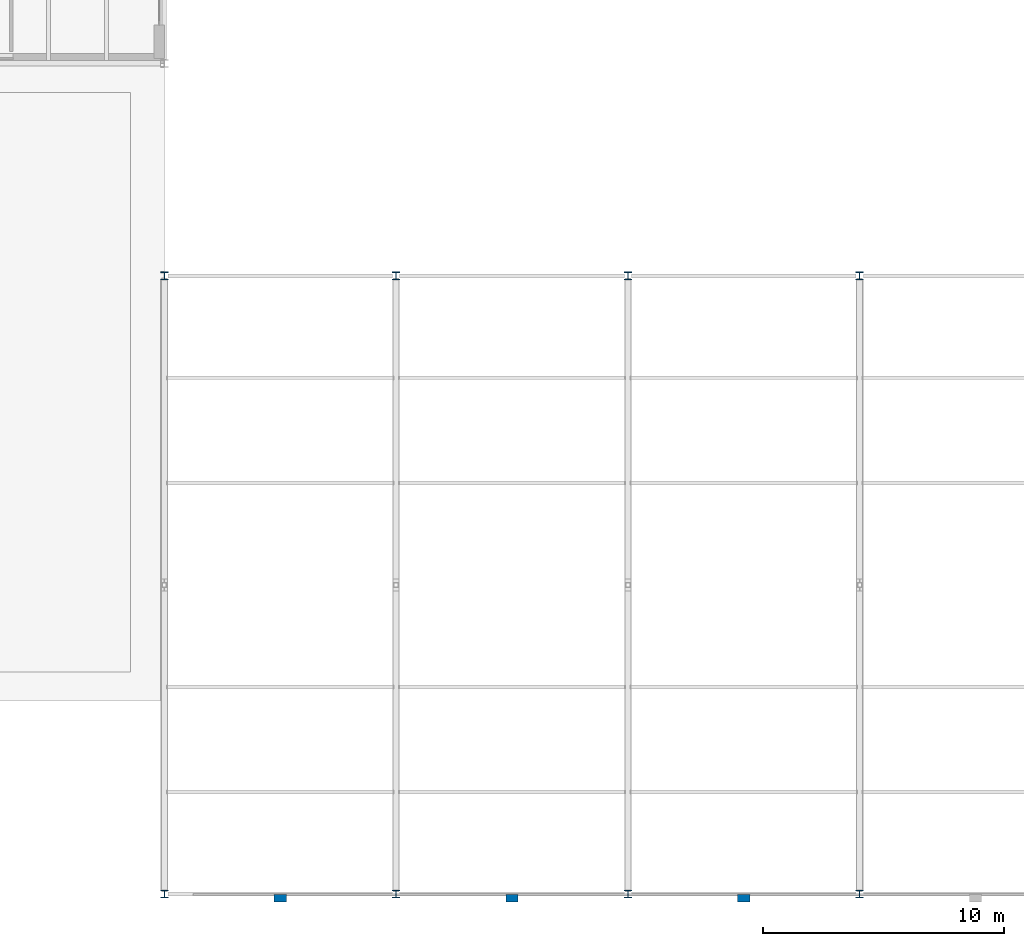
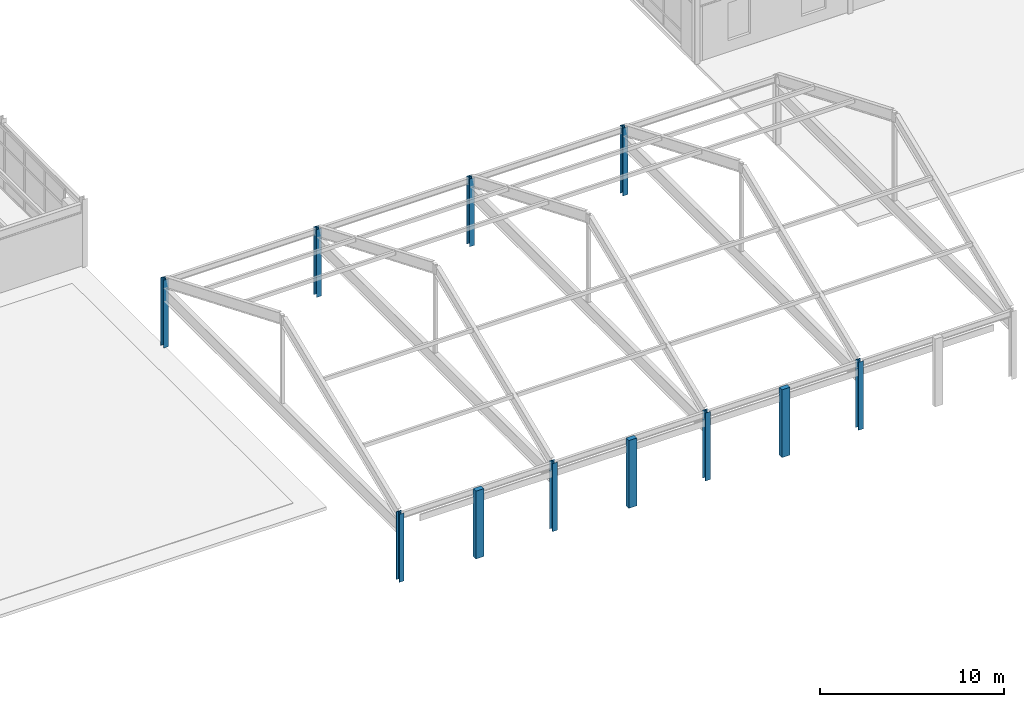
# One storey, part 1 of 88: 11 columns.
"""IFC4 building model written with IfcOpenShell, lengths in metres."""

from ifc_helpers import new_model, si_unit, direction, frame, origin, origin_2d, place, context, subcontext, project, spatial, rectangle, i_section, extrude, material, material_profile, profile_set, type_object, element, save


model = new_model("IFC4")

# Units and contexts
model_context = context("Model", 3, precision=1e-05, world=origin(), true_north=direction((0.0, 1.0)))
body_context = subcontext(model_context, "Body", "Model", "MODEL_VIEW")
ifc_project = project(units=[si_unit("LENGTHUNIT", "METRE"), si_unit("AREAUNIT", "SQUARE_METRE"), si_unit("VOLUMEUNIT", "CUBIC_METRE"), si_unit("PLANEANGLEUNIT", "RADIAN"), si_unit("MASSUNIT", "GRAM", prefix="KILO")], contexts=[model_context])

# Site, building, storey
site_placement = place(None, origin())
site = spatial("IfcSite", under=ifc_project, at=site_placement, CompositionType="ELEMENT")
building_placement = place(site_placement, origin())
building = spatial("IfcBuilding", under=site, at=building_placement, Name="Sarnbrook Museum", CompositionType="ELEMENT")
storey_placement = place(building_placement, frame((0.0, 0.0, 10.10009765625)))
storey = spatial("IfcBuildingStorey", under=building, at=storey_placement, Name="L02", CompositionType="ELEMENT", Elevation=10.10009765625)

# Columns
ifc_material_1 = material(Name="Structural Steel Grade 300PLUS (AS/NZS 3679.1, fy = 280 MPa for 17 < t <= 40 mm, 300 MPa for t <= 17 mm)", Category="steel")
ifc_material_profile_1 = material_profile(ifc_material_1, i_section(OverallWidth=0.31103515625, OverallDepth=0.326904296875, WebThickness=0.015625, FlangeThickness=0.02490234375, FilletRadius=0.0166015625, at=origin_2d()), Name="310UC158")
ifc_profile_set_1 = profile_set([ifc_material_profile_1], Name="Structural Steel Grade 300PLUS (AS/NZS 3679.1, fy = 280 MPa for 17 < t <= 40 mm, 300 MPa for t <= 17 mm)")
column_type_1 = type_object("IfcColumnType", Name="COL-UC310H", PredefinedType="COLUMN", material=ifc_profile_set_1)
for number, where, z_axis, x_axis, name in (
    (1, (42.39990234375, 4.800048828125, 0.0), (0.0, 0.0, 1.0), (1.0, 0.0, 0.0), "Column 5-A L02"),
    (2, (42.39990234375, 30.39990234375, 0.0), (0.0, 0.0, 1.0), (1.0, 0.0, 0.0), "Column 5-D L02"),
    (3, (52.0, 4.800048828125, 0.0), (0.0, 0.0, 1.0), (1.0, 0.0, 0.0), "Column 6-A L02"),
    (4, (52.0, 30.39990234375, 0.0), (0.0, 0.0, 1.0), (1.0, 0.0, 0.0), "Column 6-D L02"),
    (5, (61.60009765625, 4.800048828125, 0.0), (0.0, 0.0, 1.0), (1.0, 0.0, 0.0), "Column 7-A L02"),
    (6, (61.60009765625, 30.39990234375, 0.0), (0.0, 0.0, 1.0), (1.0, 0.0, 0.0), "Column 7-D L02"),
    (7, (71.199951171875, 4.800048828125, 0.0), (0.0, 0.0, 1.0), (1.0, 0.0, 0.0), "Column 8-A L02"),
    (8, (71.199951171875, 30.39990234375, 0.0), (0.0, 0.0, 1.0), (1.0, 0.0, 0.0), "Column 8-D L02"),
):
    element("IfcColumn", number, at=place(storey_placement, frame(where, z_axis=z_axis, x_axis=x_axis)), inside=storey, type_object=column_type_1, Name=name, PredefinedType="COLUMN", context=body_context, shape_type="SweptSolid", body=[
        extrude(i_section(OverallWidth=0.31103515625, OverallDepth=0.326904296875, WebThickness=0.015625, FlangeThickness=0.02490234375, FilletRadius=0.0166015625, at=origin_2d()), origin(), (0.0, 0.0, 1.0), 4.5),
    ])
ifc_material_2 = material(Name="Concrete N40 (AS 3600, f'c = 40 MPa)", Category="concrete")
ifc_material_profile_2 = material_profile(ifc_material_2, rectangle(XDim=0.5, YDim=0.300048828125, at=origin_2d()), Name="PILASTER 500x300")
ifc_profile_set_2 = profile_set([ifc_material_profile_2], Name="Concrete N40 (AS 3600, f'c = 40 MPa)")
column_type_2 = type_object("IfcColumnType", Name="PIL-500x300", PredefinedType="PILASTER", material=ifc_profile_set_2)
for number, where, z_axis, x_axis, name in (
    (9, (47.199951171875, 4.6201171875, 0.0), (0.0, 0.0, 1.0), (1.0, 0.0, 0.0), "Sandstone Classical Pilaster P-S1 L02"),
    (10, (56.800048828125, 4.6201171875, 0.0), (0.0, 0.0, 1.0), (1.0, 0.0, 0.0), "Sandstone Classical Pilaster P-S2 L02"),
    (11, (66.39990234375, 4.6201171875, 0.0), (0.0, 0.0, 1.0), (1.0, 0.0, 0.0), "Sandstone Classical Pilaster P-S3 L02"),
):
    element("IfcColumn", number, at=place(storey_placement, frame(where, z_axis=z_axis, x_axis=x_axis)), inside=storey, type_object=column_type_2, Name=name, PredefinedType="PILASTER", context=body_context, shape_type="SweptSolid", body=[
        extrude(rectangle(XDim=0.5, YDim=0.300048828125, at=origin_2d()), origin(), (0.0, 0.0, 1.0), 4.5),
    ])

save(model, "model.ifc")
